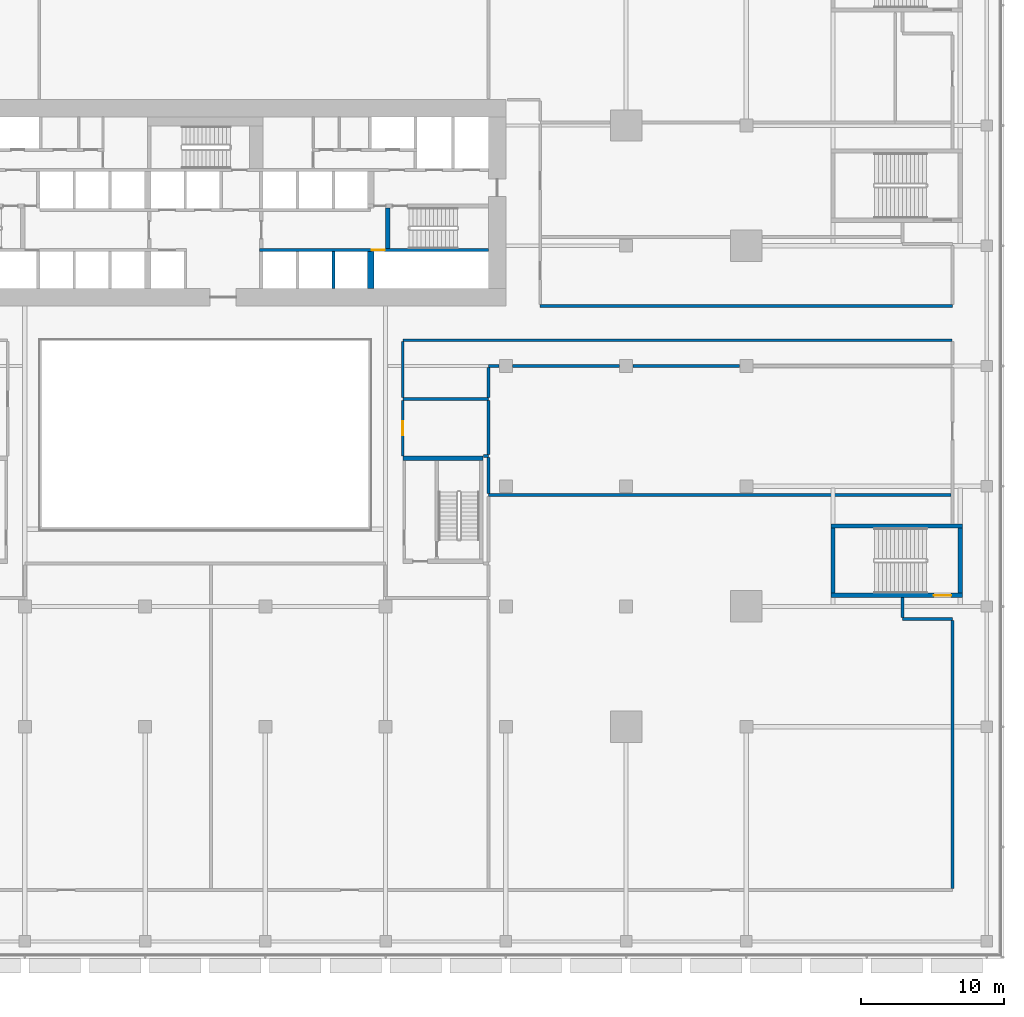
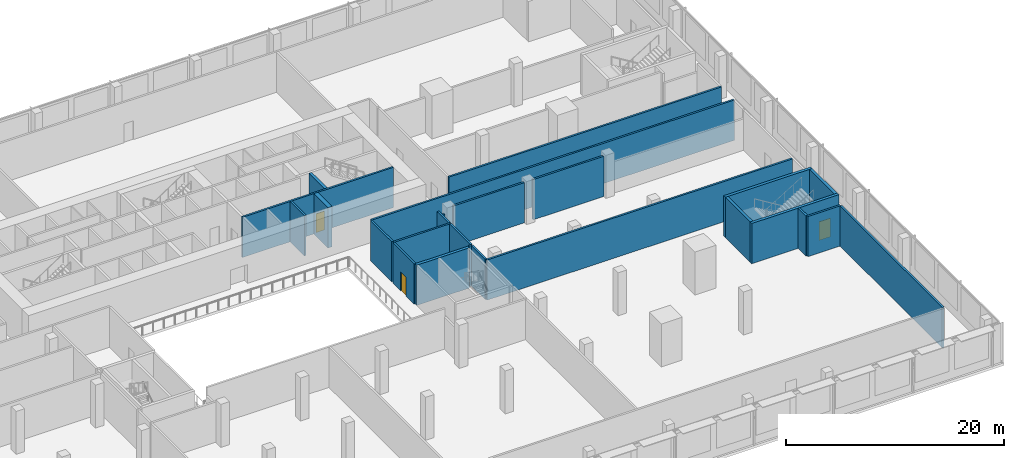
# One storey, part 30 of 39: 25 walls, 3 doors, 3 openings.
"""IFC4 building model written with IfcOpenShell, lengths in metres."""

from ifc_helpers import new_model, si_unit, direction, frame, frame_2d, origin, place, context, subcontext, project, spatial, rectangle, extrude, material, layer, layer_set, type_object, element, fill, save


model = new_model("IFC4")

# Units and contexts
model_context = context("Model", 3, precision=1e-05, world=origin(), true_north=direction((0.0, 1.0)))
body_context = subcontext(model_context, "Body", "Model", "MODEL_VIEW")
ifc_project = project(units=[si_unit("LENGTHUNIT", "METRE"), si_unit("AREAUNIT", "SQUARE_METRE"), si_unit("VOLUMEUNIT", "CUBIC_METRE"), si_unit("PLANEANGLEUNIT", "RADIAN"), si_unit("MASSUNIT", "GRAM", prefix="KILO")], contexts=[model_context])

# Site, building, storey
site_placement = place(None, origin())
site = spatial("IfcSite", under=ifc_project, at=site_placement, CompositionType="ELEMENT")
building_placement = place(site_placement, origin())
building = spatial("IfcBuilding", under=site, at=building_placement, Name="Saffron Gate Tower", CompositionType="ELEMENT")
storey_placement = place(building_placement, frame((0.0, 0.0, 14.39990234375)))
storey = spatial("IfcBuildingStorey", under=building, at=storey_placement, Name="L02", CompositionType="ELEMENT", Elevation=14.39990234375)

# Wall
ifc_material_1 = material(Name="Concrete C70", Category="concrete")
ifc_layer_1 = layer(ifc_material_1, 0.199951171875)
ifc_layer_set_1 = layer_set([ifc_layer_1], Name="CW3 RC core wall 200 C70")
wall_type_1 = type_object("IfcWallType", Name="CW3 RC core wall 200 C70", PredefinedType="SOLIDWALL", material=ifc_layer_set_1)
wall_1_placement = place(storey_placement, frame((96.550048828125, 62.39990234375, 0.0), z_axis=(0.0, 0.0, 1.0), x_axis=(0.0, 1.0, 0.0)))
element("IfcWall", 1, at=wall_1_placement, inside=storey, type_object=wall_type_1, Name="Wall CW3-L02-12", PredefinedType="SOLIDWALL", context=body_context, shape_type="SweptSolid", body=[
    extrude(rectangle(XDim=2.60009765625, YDim=0.199951171875, at=frame_2d((1.300048828125, 0.0))), origin(), (0.0, 0.0, 1.0), 4.5),
])

# Wall, opening, door
wall_2_placement = place(storey_placement, frame((91.39990234375, 65.10009765625, 0.0), z_axis=(0.0, 0.0, 1.0), x_axis=(1.0, 0.0, 0.0)))
wall_2 = element("IfcWall", 2, at=wall_2_placement, inside=storey, type_object=wall_type_1, Name="Wall CW3-L02-15", PredefinedType="SOLIDWALL", context=body_context, shape_type="SweptSolid", body=[
    extrude(rectangle(XDim=16.0, YDim=0.199951171875, at=frame_2d((8.0, 0.0))), origin(), (0.0, 0.0, 1.0), 4.5),
])
opening_1_placement = place(wall_2_placement, frame((7.830078125, 0.0, 0.0)))
opening_1 = element("IfcOpeningElement", 3, at=opening_1_placement, cuts=wall_2, Name="Opening CR-48", PredefinedType="OPENING", context=body_context, shape_type="SweptSolid", body=[
    extrude(rectangle(XDim=0.89990234375, YDim=2.10009765625, at=frame_2d((0.449951171875, 1.050048828125))), frame((0.0, 0.10986328125, 0.0), z_axis=(0.0, -1.0, 0.0), x_axis=(1.0, 0.0, 0.0)), (0.0, 0.0, 1.0), 0.219970703125),
])
ifc_material_2 = material(Name="Steel fire door set", Category="steel")
door_type_1 = type_object("IfcDoorType", Name="CD2 Riser door 900x2100 EI 60", OperationType="NOTDEFINED", PredefinedType="DOOR", material=ifc_material_2)
door_1_placement = place(opening_1_placement, origin())
door_1 = element("IfcDoor", 4, at=door_1_placement, inside=storey, type_object=door_type_1, Name="DOOR CR-48", OperationType="SINGLE_SWING_RIGHT", OverallHeight=2.10009765625, OverallWidth=0.89990234375, PredefinedType="DOOR", context=body_context, shape_type="SweptSolid", body=[
    extrude(rectangle(XDim=0.89990234375, YDim=2.10009765625, at=frame_2d((0.449951171875, 1.050048828125))), frame((0.0, 0.02490234375, 0.0), z_axis=(0.0, -1.0, 0.0), x_axis=(1.0, 0.0, 0.0)), (0.0, 0.0, 1.0), 0.050048828125),
])
fill(opening_1, door_1)

# Walls
ifc_layer_2 = layer(ifc_material_1, 0.449951171875)
ifc_layer_set_2 = layer_set([ifc_layer_2], Name="CW4 RC core wall 450 C70")
wall_type_2 = type_object("IfcWallType", Name="CW4 RC core wall 450 C70", PredefinedType="SOLIDWALL", material=ifc_layer_set_2)
wall_3_placement = place(storey_placement, frame((99.175048828125, 62.39990234375, 0.0), z_axis=(0.0, 0.0, 1.0), x_axis=(0.0, 1.0, 0.0)))
element("IfcWall", 5, at=wall_3_placement, inside=storey, type_object=wall_type_2, Name="Wall CW4-L02-13", PredefinedType="SOLIDWALL", context=body_context, shape_type="SweptSolid", body=[
    extrude(rectangle(XDim=2.60009765625, YDim=0.449951171875, at=frame_2d((1.300048828125, 0.0))), origin(), (0.0, 0.0, 1.0), 4.5),
])
ifc_layer_3 = layer(ifc_material_1, 0.300048828125)
ifc_layer_set_3 = layer_set([ifc_layer_3], Name="CW5 RC core wall 300 C70")
wall_type_3 = type_object("IfcWallType", Name="CW5 RC core wall 300 C70", PredefinedType="SOLIDWALL", material=ifc_layer_set_3)
wall_4_placement = place(storey_placement, frame((100.35009765625, 65.199951171875, 0.0), z_axis=(0.0, 0.0, 1.0), x_axis=(0.0, 1.0, 0.0)))
element("IfcWall", 6, at=wall_4_placement, inside=storey, type_object=wall_type_3, Name="Wall CW5-L02-19", PredefinedType="SOLIDWALL", context=body_context, shape_type="SweptSolid", body=[
    extrude(rectangle(XDim=2.85009765625, YDim=0.300048828125, at=frame_2d((1.425048828125, 0.0))), origin(), (0.0, 0.0, 1.0), 4.5),
])
wall_5_placement = place(storey_placement, frame((101.39990234375, 50.550048828125, 0.0), z_axis=(0.0, 0.0, 1.0), x_axis=(1.0, 0.0, 0.0)))
element("IfcWall", 7, at=wall_5_placement, inside=storey, type_object=wall_type_3, Name="Wall CW5-L02-E-5", PredefinedType="SOLIDWALL", context=body_context, shape_type="SweptSolid", body=[
    extrude(rectangle(XDim=5.60009765625, YDim=0.300048828125, at=frame_2d((2.800048828125, 0.0))), origin(), (0.0, 0.0, 1.0), 4.5),
])

# Wall, opening, door
wall_6_placement = place(storey_placement, frame((131.300048828125, 40.97509765625, 0.0), z_axis=(0.0, 0.0, 1.0), x_axis=(1.0, 0.0, 0.0)))
wall_6 = element("IfcWall", 8, at=wall_6_placement, inside=storey, type_object=wall_type_3, Name="Wall CW5-L02-K-1", PredefinedType="SOLIDWALL", context=body_context, shape_type="SweptSolid", body=[
    extrude(rectangle(XDim=9.199951171875, YDim=0.300048828125, at=frame_2d((4.60009765625, 0.0))), origin(), (0.0, 0.0, 1.0), 4.5),
])
opening_2_placement = place(wall_6_placement, frame((7.199951171875, 0.0, 0.0)))
opening_2 = element("IfcOpeningElement", 9, at=opening_2_placement, cuts=wall_6, Name="Opening CR-41", PredefinedType="OPENING", context=body_context, shape_type="SweptSolid", body=[
    extrude(rectangle(XDim=1.199951171875, YDim=2.10009765625, at=frame_2d((0.60009765625, 1.050048828125))), frame((0.0, 0.16015625, 0.0), z_axis=(0.0, -1.0, 0.0), x_axis=(1.0, 0.0, 0.0)), (0.0, 0.0, 1.0), 0.320068359375),
])
door_type_2 = type_object("IfcDoorType", Name="CD12 Stair door 1200x2100 EI 120", OperationType="NOTDEFINED", PredefinedType="DOOR", material=ifc_material_2)
door_2_placement = place(opening_2_placement, origin())
door_2 = element("IfcDoor", 10, at=door_2_placement, inside=storey, type_object=door_type_2, Name="DOOR CR-41", OperationType="SINGLE_SWING_RIGHT", OverallHeight=2.10009765625, OverallWidth=1.199951171875, PredefinedType="DOOR", context=body_context, shape_type="SweptSolid", body=[
    extrude(rectangle(XDim=1.199951171875, YDim=2.10009765625, at=frame_2d((0.60009765625, 1.050048828125))), frame((0.0, 0.02490234375, 0.0), z_axis=(0.0, -1.0, 0.0), x_axis=(1.0, 0.0, 0.0)), (0.0, 0.0, 1.0), 0.050048828125),
])
fill(opening_2, door_2)

# Walls
for number, where, z_axis, x_axis, name in (
    (11, (131.449951171875, 41.125, 0.0), (0.0, 0.0, 1.0), (0.0, 1.0, 0.0), "Wall CW5-L02-K-2"),
    (12, (140.35009765625, 41.125, 0.0), (0.0, 0.0, 1.0), (0.0, 1.0, 0.0), "Wall CW5-L02-K-3"),
):
    element("IfcWall", number, at=place(storey_placement, frame(where, z_axis=z_axis, x_axis=x_axis)), inside=storey, type_object=wall_type_3, Name=name, PredefinedType="SOLIDWALL", context=body_context, shape_type="SweptSolid", body=[
        extrude(rectangle(XDim=4.550048828125, YDim=0.300048828125, at=frame_2d((2.27490234375, 0.0))), origin(), (0.0, 0.0, 1.0), 4.5),
    ])
wall_7_placement = place(storey_placement, frame((131.300048828125, 45.824951171875, 0.0), z_axis=(0.0, 0.0, 1.0), x_axis=(1.0, 0.0, 0.0)))
element("IfcWall", 13, at=wall_7_placement, inside=storey, type_object=wall_type_3, Name="Wall CW5-L02-K-4", PredefinedType="SOLIDWALL", context=body_context, shape_type="SweptSolid", body=[
    extrude(rectangle(XDim=9.199951171875, YDim=0.300048828125, at=frame_2d((4.60009765625, 0.0))), origin(), (0.0, 0.0, 1.0), 4.5),
])
ifc_material_3 = material(Name="Clay brick masonry, rendered", Category="masonry")
ifc_layer_4 = layer(ifc_material_3, 0.199951171875)
ifc_layer_set_4 = layer_set([ifc_layer_4], Name="PW3 Corridor wall 200")
wall_type_4 = type_object("IfcWallType", Name="PW3 Corridor wall 200", PredefinedType="PARTITIONING", material=ifc_layer_set_4)
wall_8_placement = place(storey_placement, frame((136.300048828125, 39.324951171875, 0.0), z_axis=(0.0, 0.0, 1.0), x_axis=(1.0, 0.0, 0.0)))
element("IfcWall", 14, at=wall_8_placement, inside=storey, type_object=wall_type_4, Name="Wall P2-3", PredefinedType="PARTITIONING", context=body_context, shape_type="SweptSolid", body=[
    extrude(rectangle(XDim=3.5, YDim=0.199951171875, at=frame_2d((1.75, 0.0))), origin(), (0.0, 0.0, 1.0), 4.5),
])
wall_9_placement = place(storey_placement, frame((111.0, 61.199951171875, 0.0), z_axis=(0.0, 0.0, 1.0), x_axis=(1.0, 0.0, 0.0)))
element("IfcWall", 15, at=wall_9_placement, inside=storey, type_object=wall_type_4, Name="Wall P2-22", PredefinedType="PARTITIONING", context=body_context, shape_type="SweptSolid", body=[
    extrude(rectangle(XDim=28.800048828125, YDim=0.199951171875, at=frame_2d((14.39990234375, 0.0))), origin(), (0.0, 0.0, 1.0), 4.5),
])

# Wall, opening, door
wall_10_placement = place(storey_placement, frame((101.39990234375, 54.60009765625, 0.0), z_axis=(0.0, 0.0, 1.0), x_axis=(0.0, -1.0, 0.0)))
wall_10 = element("IfcWall", 16, at=wall_10_placement, inside=storey, type_object=wall_type_4, Name="Wall P2-60", PredefinedType="PARTITIONING", context=body_context, shape_type="SweptSolid", body=[
    extrude(rectangle(XDim=3.900146484375, YDim=0.199951171875, at=frame_2d((1.9501953125, 0.0))), origin(), (0.0, 0.0, 1.0), 4.5),
])
opening_3_placement = place(wall_10_placement, frame((1.449951171875, 0.0, 0.0)))
opening_3 = element("IfcOpeningElement", 17, at=opening_3_placement, cuts=wall_10, Name="Opening P2-6", PredefinedType="OPENING", context=body_context, shape_type="SweptSolid", body=[
    extrude(rectangle(XDim=1.0, YDim=2.10009765625, at=frame_2d((0.5, 1.050048828125))), frame((0.0, 0.10986328125, 0.0), z_axis=(0.0, -1.0, 0.0), x_axis=(1.0, 0.0, 0.0)), (0.0, 0.0, 1.0), 0.219970703125),
])
ifc_material_4 = material(Name="Timber door set", Category="wood")
door_type_3 = type_object("IfcDoorType", Name="RD1 Room door 900x2100", OperationType="NOTDEFINED", PredefinedType="DOOR", material=ifc_material_4)
door_3_placement = place(opening_3_placement, origin())
door_3 = element("IfcDoor", 18, at=door_3_placement, inside=storey, type_object=door_type_3, Name="Door P2-6", OperationType="SINGLE_SWING_RIGHT", OverallHeight=2.10009765625, OverallWidth=1.0, PredefinedType="DOOR", context=body_context, shape_type="SweptSolid", body=[
    extrude(rectangle(XDim=1.0, YDim=2.10009765625, at=frame_2d((0.5, 1.050048828125))), frame((0.0, 0.02490234375, 0.0), z_axis=(0.0, -1.0, 0.0), x_axis=(1.0, 0.0, 0.0)), (0.0, 0.0, 1.0), 0.050048828125),
])
fill(opening_3, door_3)

# Walls
wall_11_placement = place(storey_placement, frame((136.300048828125, 40.824951171875, 0.0), z_axis=(0.0, 0.0, 1.0), x_axis=(0.0, -1.0, 0.0)))
element("IfcWall", 19, at=wall_11_placement, inside=storey, type_object=wall_type_4, Name="Wall P2-72", PredefinedType="PARTITIONING", context=body_context, shape_type="SweptSolid", body=[
    extrude(rectangle(XDim=1.39990234375, YDim=0.199951171875, at=frame_2d((0.699951171875, 0.0))), origin(), (0.0, 0.0, 1.0), 4.5),
])
wall_12_placement = place(storey_placement, frame((139.800048828125, 39.22509765625, 0.0), z_axis=(0.0, 0.0, 1.0), x_axis=(0.0, -1.0, 0.0)))
element("IfcWall", 20, at=wall_12_placement, inside=storey, type_object=wall_type_4, Name="Wall P2-75", PredefinedType="PARTITIONING", context=body_context, shape_type="SweptSolid", body=[
    extrude(rectangle(XDim=18.72509765625, YDim=0.199951171875, at=frame_2d((9.362548828125, 0.0))), origin(), (0.0, 0.0, 1.0), 4.5),
])
ifc_layer_5 = layer(ifc_material_3, 0.199951171875)
ifc_layer_set_5 = layer_set([ifc_layer_5], Name="PW5 Room wall 200")
wall_type_5 = type_object("IfcWallType", Name="PW5 Room wall 200", PredefinedType="PARTITIONING", material=ifc_layer_set_5)
wall_13_placement = place(storey_placement, frame((107.39990234375, 48.0, 0.0), z_axis=(0.0, 0.0, 1.0), x_axis=(1.0, 0.0, 0.0)))
element("IfcWall", 21, at=wall_13_placement, inside=storey, type_object=wall_type_5, Name="Wall P2-9", PredefinedType="PARTITIONING", context=body_context, shape_type="SweptSolid", body=[
    extrude(rectangle(XDim=32.300048828125, YDim=0.199951171875, at=frame_2d((16.14990234375, 0.0))), origin(), (0.0, 0.0, 1.0), 4.5),
])
wall_14_placement = place(storey_placement, frame((107.050048828125, 50.699951171875, 0.0), z_axis=(0.0, 0.0, 1.0), x_axis=(1.0, 0.0, 0.0)))
element("IfcWall", 22, at=wall_14_placement, inside=storey, type_object=wall_type_5, Name="Wall P2-12", PredefinedType="PARTITIONING", context=body_context, shape_type="SweptSolid", body=[
    extrude(rectangle(XDim=0.329833984375, YDim=0.199951171875, at=frame_2d((0.1650390625, 0.0))), origin(), (0.0, 0.0, 1.0), 4.5),
])
wall_15_placement = place(storey_placement, frame((101.419921875, 54.699951171875, 0.0), z_axis=(0.0, 0.0, 1.0), x_axis=(1.0, 0.0, 0.0)))
element("IfcWall", 23, at=wall_15_placement, inside=storey, type_object=wall_type_5, Name="Wall P2-13", PredefinedType="PARTITIONING", context=body_context, shape_type="SweptSolid", body=[
    extrude(rectangle(XDim=5.9599609375, YDim=0.199951171875, at=frame_2d((2.97998046875, 0.0))), origin(), (0.0, 0.0, 1.0), 4.5),
])
wall_16_placement = place(storey_placement, frame((107.39990234375, 57.0, 0.0), z_axis=(0.0, 0.0, 1.0), x_axis=(1.0, 0.0, 0.0)))
element("IfcWall", 24, at=wall_16_placement, inside=storey, type_object=wall_type_5, Name="Wall P2-15", PredefinedType="PARTITIONING", context=body_context, shape_type="SweptSolid", body=[
    extrude(rectangle(XDim=0.72998046875, YDim=0.199951171875, at=frame_2d((0.364990234375, 0.0))), origin(), (0.0, 0.0, 1.0), 3.900146484375),
])
for number, where, z_axis, x_axis, name in (
    (25, (109.070068359375, 57.0, 0.0), (0.0, 0.0, 1.0), (1.0, 0.0, 0.0), "Wall P2-16"),
    (26, (117.469970703125, 57.0, 0.0), (0.0, 0.0, 1.0), (1.0, 0.0, 0.0), "Wall P2-17"),
):
    element("IfcWall", number, at=place(storey_placement, frame(where, z_axis=z_axis, x_axis=x_axis)), inside=storey, type_object=wall_type_5, Name=name, PredefinedType="PARTITIONING", context=body_context, shape_type="SweptSolid", body=[
        extrude(rectangle(XDim=7.4599609375, YDim=0.199951171875, at=frame_2d((3.72998046875, 0.0))), origin(), (0.0, 0.0, 1.0), 4.5),
    ])
wall_17_placement = place(storey_placement, frame((101.419921875, 58.800048828125, 0.0), z_axis=(0.0, 0.0, 1.0), x_axis=(1.0, 0.0, 0.0)))
element("IfcWall", 27, at=wall_17_placement, inside=storey, type_object=wall_type_5, Name="Wall P2-20", PredefinedType="PARTITIONING", context=body_context, shape_type="SweptSolid", body=[
    extrude(rectangle(XDim=38.360107421875, YDim=0.199951171875, at=frame_2d((19.18017578125, 0.0))), origin(), (0.0, 0.0, 1.0), 4.5),
])
wall_18_placement = place(storey_placement, frame((101.39990234375, 58.699951171875, 0.0), z_axis=(0.0, 0.0, 1.0), x_axis=(0.0, -1.0, 0.0)))
element("IfcWall", 28, at=wall_18_placement, inside=storey, type_object=wall_type_5, Name="Wall P2-61", PredefinedType="PARTITIONING", context=body_context, shape_type="SweptSolid", body=[
    extrude(rectangle(XDim=3.89990234375, YDim=0.199951171875, at=frame_2d((1.949951171875, 0.0))), origin(), (0.0, 0.0, 1.0), 4.5),
])
wall_19_placement = place(storey_placement, frame((107.39990234375, 50.60009765625, 0.0), z_axis=(0.0, 0.0, 1.0), x_axis=(0.0, -1.0, 0.0)))
element("IfcWall", 29, at=wall_19_placement, inside=storey, type_object=wall_type_5, Name="Wall P2-64", PredefinedType="PARTITIONING", context=body_context, shape_type="SweptSolid", body=[
    extrude(rectangle(XDim=2.5, YDim=0.199951171875, at=frame_2d((1.25, 0.0))), origin(), (0.0, 0.0, 1.0), 4.5),
])
wall_20_placement = place(storey_placement, frame((107.39990234375, 56.89990234375, 0.0), z_axis=(0.0, 0.0, 1.0), x_axis=(0.0, -1.0, 0.0)))
element("IfcWall", 30, at=wall_20_placement, inside=storey, type_object=wall_type_5, Name="Wall P2-65", PredefinedType="PARTITIONING", context=body_context, shape_type="SweptSolid", body=[
    extrude(rectangle(XDim=2.099853515625, YDim=0.199951171875, at=frame_2d((1.0498046875, 0.0))), origin(), (0.0, 0.0, 1.0), 4.5),
])
wall_21_placement = place(storey_placement, frame((107.39990234375, 54.60009765625, 0.0), z_axis=(0.0, 0.0, 1.0), x_axis=(0.0, -1.0, 0.0)))
element("IfcWall", 31, at=wall_21_placement, inside=storey, type_object=wall_type_5, Name="Wall P2-68", PredefinedType="PARTITIONING", context=body_context, shape_type="SweptSolid", body=[
    extrude(rectangle(XDim=3.800048828125, YDim=0.199951171875, at=frame_2d((1.89990234375, 0.0))), origin(), (0.0, 0.0, 1.0), 4.5),
])

save(model, "model.ifc")
